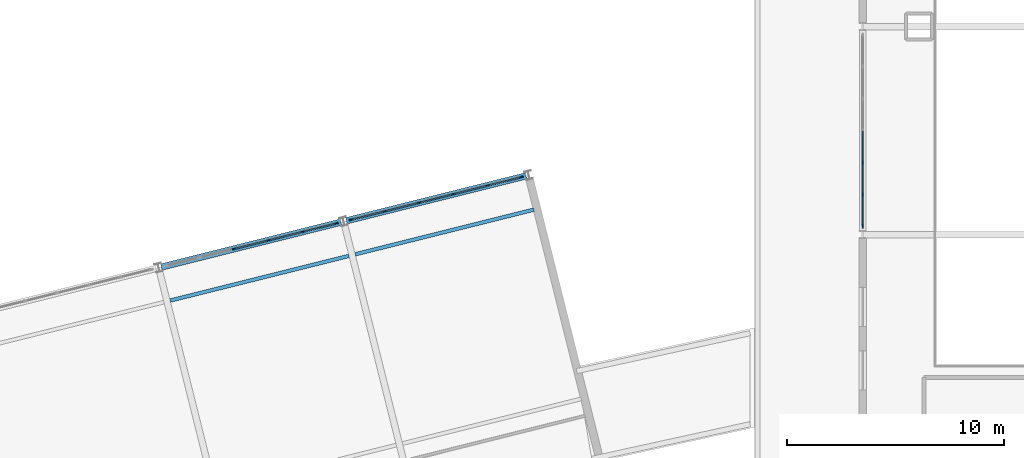
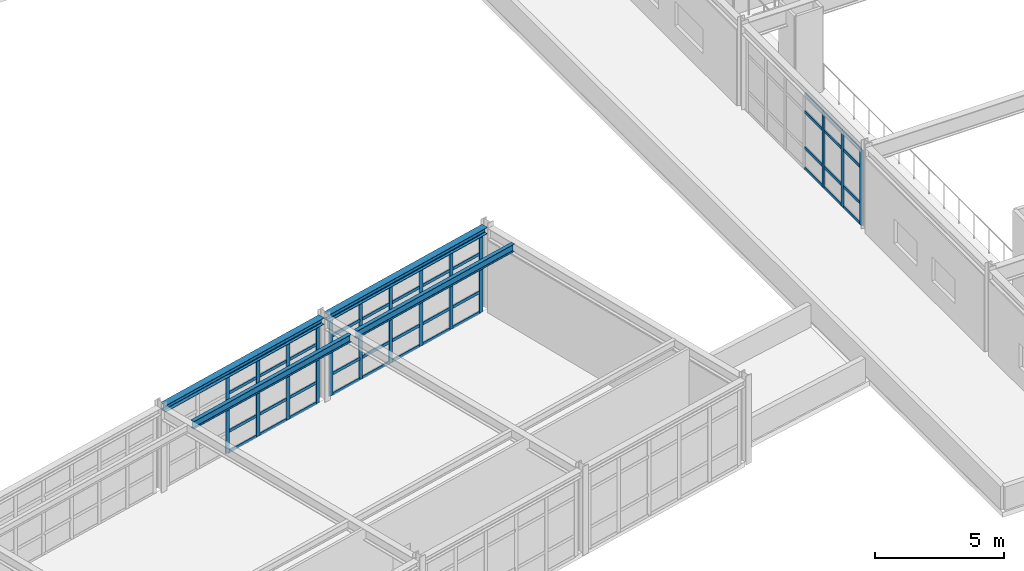
# One storey, part 37 of 76: 57 members, 4 beams, 3 elements without a shape of their own.
"""IFC4 building model written with IfcOpenShell, lengths in metres."""

from ifc_helpers import new_model, si_unit, direction, frame, origin, origin_2d, place, context, subcontext, project, spatial, rectangle, i_section, extrude, material, layer, layer_set, material_profile, profile_set, type_object, element, aggregate, save


model = new_model("IFC4")

# Units and contexts
model_context = context("Model", 3, precision=1e-05, world=origin(), true_north=direction((0.0, 1.0)))
body_context = subcontext(model_context, "Body", "Model", "MODEL_VIEW")
ifc_project = project(units=[si_unit("LENGTHUNIT", "METRE"), si_unit("AREAUNIT", "SQUARE_METRE"), si_unit("VOLUMEUNIT", "CUBIC_METRE"), si_unit("PLANEANGLEUNIT", "RADIAN"), si_unit("MASSUNIT", "GRAM", prefix="KILO")], contexts=[model_context])

# Site, building, storey
site_placement = place(None, origin())
site = spatial("IfcSite", under=ifc_project, at=site_placement, CompositionType="ELEMENT")
building_placement = place(site_placement, origin())
building = spatial("IfcBuilding", under=site, at=building_placement, Name="Nordkorset Police Headquarters", CompositionType="ELEMENT")
storey_placement = place(building_placement, frame((0.0, 0.0, 13.64990234375)))
storey = spatial("IfcBuildingStorey", under=building, at=storey_placement, Name="L03", CompositionType="ELEMENT", Elevation=13.64990234375)

# Beams
ifc_material_1 = material(Name="Steel S355J2", Category="steel")
ifc_material_profile_1 = material_profile(ifc_material_1, i_section(OverallWidth=0.169921875, OverallDepth=0.360107421875, WebThickness=0.008056640625, FlangeThickness=0.0126953125, FilletRadius=0.01806640625, at=origin_2d()), Name="IPE 360")
ifc_profile_set_1 = profile_set([ifc_material_profile_1], Name="Steel S355J2")
beam_type_1 = type_object("IfcBeamType", Name="Beam_IPE_360", PredefinedType="BEAM", material=ifc_profile_set_1)
for number, where, z_axis, x_axis, name in (
    (1, (59.44677734375, 64.155517578125, 3.80517578125), (0.970135741501, 0.242562658011, 0.0), (-0.242562658011, 0.970135741501, 0.0), "Splayed Wing Secondary Beam L03 4-2"),
    (2, (67.984130859375, 66.2900390625, 3.80517578125), (0.970142500145, 0.242535625036, 0.0), (-0.242535625036, 0.970142500145, 0.0), "Splayed Wing Secondary Beam L03 5-2"),
):
    element("IfcBeam", number, at=place(storey_placement, frame(where, z_axis=z_axis, x_axis=x_axis)), inside=storey, type_object=beam_type_1, Name=name, PredefinedType="BEAM", context=body_context, shape_type="SweptSolid", body=[
        extrude(i_section(OverallWidth=0.169921875, OverallDepth=0.360107421875, WebThickness=0.008056640625, FlangeThickness=0.0126953125, FilletRadius=0.01806640625, at=origin_2d()), origin(), (0.0, 0.0, 1.0), 8.5),
    ])

# Curtain wall, members
ifc_material_2 = material(Name="Aluminium alloy AW-6060", Category="aluminium")
ifc_layer_1 = layer(ifc_material_2, 0.179931640625, Name="Aluminium alloy AW-6060")
ifc_layer_set_1 = layer_set([ifc_layer_1], Name="Aluminium alloy AW-6060")
curtain_wall_type_1 = type_object("IfcCurtainWallType", Name="CW_Unit_816x366", PredefinedType="USERDEFINED", material=ifc_layer_set_1)
curtain_wall_1_placement = place(storey_placement, origin())
curtain_wall_1 = element("IfcCurtainWall", 3, at=curtain_wall_1_placement, inside=storey, type_object=curtain_wall_type_1, Name="Unitised Curtain Wall L03 V4N-4", ObjectType="UNITISED CURTAIN WALL", PredefinedType="USERDEFINED")
ifc_material_3 = material(Name="Aluminium alloy AW-6060", Category="aluminium")
ifc_material_profile_2 = material_profile(ifc_material_3, rectangle(XDim=0.06494140625, YDim=0.179931640625, at=origin_2d()), Name="ALU MULL 65x180")
ifc_profile_set_2 = profile_set([ifc_material_profile_2], Name="Aluminium alloy AW-6060")
member_type_1 = type_object("IfcMemberType", Name="CW_Mullion_65x180", PredefinedType="MULLION", material=ifc_profile_set_2)
member_1_placement = place(storey_placement, frame((62.39013671875, 66.540771484375, 0.0), z_axis=(0.0, 0.0, 1.0), x_axis=(-0.242535336683, 0.970142572234, 0.0)))
member_1 = element("IfcMember", 4, at=member_1_placement, type_object=member_type_1, Name="CW-87 mullion 3", PredefinedType="MULLION", context=body_context, shape_type="SweptSolid", body=[
    extrude(rectangle(XDim=0.06494140625, YDim=0.179931640625, at=origin_2d()), origin(), (0.0, 0.0, 1.0), 3.655029296875),
])
member_2_placement = place(storey_placement, frame((63.973388671875, 66.9365234375, 0.0), z_axis=(0.0, 0.0, 1.0), x_axis=(-0.242535336683, 0.970142572234, 0.0)))
member_2 = element("IfcMember", 5, at=member_2_placement, type_object=member_type_1, Name="CW-87 mullion 4", PredefinedType="MULLION", context=body_context, shape_type="SweptSolid", body=[
    extrude(rectangle(XDim=0.06494140625, YDim=0.179931640625, at=origin_2d()), origin(), (0.0, 0.0, 1.0), 3.655029296875),
])
member_3_placement = place(storey_placement, frame((65.556640625, 67.332275390625, 0.0), z_axis=(0.0, 0.0, 1.0), x_axis=(-0.242535336683, 0.970142572234, 0.0)))
member_3 = element("IfcMember", 6, at=member_3_placement, type_object=member_type_1, Name="CW-87 mullion 5", PredefinedType="MULLION", context=body_context, shape_type="SweptSolid", body=[
    extrude(rectangle(XDim=0.06494140625, YDim=0.179931640625, at=origin_2d()), origin(), (0.0, 0.0, 1.0), 3.655029296875),
])
member_4_placement = place(storey_placement, frame((67.1083984375, 67.72021484375, 0.0), z_axis=(0.0, 0.0, 1.0), x_axis=(-0.242535336683, 0.970142572234, 0.0)))
member_4 = element("IfcMember", 7, at=member_4_placement, type_object=member_type_1, Name="CW-87 mullion 6", PredefinedType="MULLION", context=body_context, shape_type="SweptSolid", body=[
    extrude(rectangle(XDim=0.06494140625, YDim=0.179931640625, at=origin_2d()), origin(), (0.0, 0.0, 1.0), 3.655029296875),
])

curtain_wall_2_placement = place(storey_placement, origin())
curtain_wall_2 = element("IfcCurtainWall", 8, at=curtain_wall_2_placement, inside=storey, type_object=curtain_wall_type_1, Name="Unitised Curtain Wall L03 V4N-5", ObjectType="UNITISED CURTAIN WALL", PredefinedType="USERDEFINED")
member_5_placement = place(storey_placement, frame((67.79248046875, 67.891357421875, 0.0), z_axis=(0.0, 0.0, 1.0), x_axis=(-0.242535625038, 0.970142500145, 0.0)))
member_5 = element("IfcMember", 9, at=member_5_placement, type_object=member_type_1, Name="CW-87 mullion 1", PredefinedType="MULLION", context=body_context, shape_type="SweptSolid", body=[
    extrude(rectangle(XDim=0.06494140625, YDim=0.179931640625, at=origin_2d()), origin(), (0.0, 0.0, 1.0), 3.655029296875),
])
member_6_placement = place(storey_placement, frame((69.34423828125, 68.279296875, 0.0), z_axis=(0.0, 0.0, 1.0), x_axis=(-0.242535625038, 0.970142500145, 0.0)))
member_6 = element("IfcMember", 10, at=member_6_placement, type_object=member_type_1, Name="CW-87 mullion 2", PredefinedType="MULLION", context=body_context, shape_type="SweptSolid", body=[
    extrude(rectangle(XDim=0.06494140625, YDim=0.179931640625, at=origin_2d()), origin(), (0.0, 0.0, 1.0), 3.655029296875),
])
member_7_placement = place(storey_placement, frame((70.927490234375, 68.675048828125, 0.0), z_axis=(0.0, 0.0, 1.0), x_axis=(-0.242535625038, 0.970142500145, 0.0)))
member_7 = element("IfcMember", 11, at=member_7_placement, type_object=member_type_1, Name="CW-87 mullion 3", PredefinedType="MULLION", context=body_context, shape_type="SweptSolid", body=[
    extrude(rectangle(XDim=0.06494140625, YDim=0.179931640625, at=origin_2d()), origin(), (0.0, 0.0, 1.0), 3.655029296875),
])
member_8_placement = place(storey_placement, frame((72.5107421875, 69.07080078125, 0.0), z_axis=(0.0, 0.0, 1.0), x_axis=(-0.242535625038, 0.970142500145, 0.0)))
member_8 = element("IfcMember", 12, at=member_8_placement, type_object=member_type_1, Name="CW-87 mullion 4", PredefinedType="MULLION", context=body_context, shape_type="SweptSolid", body=[
    extrude(rectangle(XDim=0.06494140625, YDim=0.179931640625, at=origin_2d()), origin(), (0.0, 0.0, 1.0), 3.655029296875),
])
member_9_placement = place(storey_placement, frame((74.093994140625, 69.466552734375, 0.0), z_axis=(0.0, 0.0, 1.0), x_axis=(-0.242535625038, 0.970142500145, 0.0)))
member_9 = element("IfcMember", 13, at=member_9_placement, type_object=member_type_1, Name="CW-87 mullion 5", PredefinedType="MULLION", context=body_context, shape_type="SweptSolid", body=[
    extrude(rectangle(XDim=0.06494140625, YDim=0.179931640625, at=origin_2d()), origin(), (0.0, 0.0, 1.0), 3.655029296875),
])
member_10_placement = place(storey_placement, frame((75.645751953125, 69.8544921875, 0.0), z_axis=(0.0, 0.0, 1.0), x_axis=(-0.242535625038, 0.970142500145, 0.0)))
member_10 = element("IfcMember", 14, at=member_10_placement, type_object=member_type_1, Name="CW-87 mullion 6", PredefinedType="MULLION", context=body_context, shape_type="SweptSolid", body=[
    extrude(rectangle(XDim=0.06494140625, YDim=0.179931640625, at=origin_2d()), origin(), (0.0, 0.0, 1.0), 3.655029296875),
])

ifc_material_4 = material(Name="Aluminium alloy AW-6060", Category="aluminium")
ifc_layer_2 = layer(ifc_material_4, 0.179931640625, Name="Aluminium alloy AW-6060")
ifc_layer_set_2 = layer_set([ifc_layer_2], Name="Aluminium alloy AW-6060")
curtain_wall_type_2 = type_object("IfcCurtainWallType", Name="CW_Unit_888x356", PredefinedType="USERDEFINED", material=ifc_layer_set_2)
curtain_wall_3_placement = place(storey_placement, origin())
curtain_wall_3 = element("IfcCurtainWall", 15, at=curtain_wall_3_placement, inside=storey, type_object=curtain_wall_type_2, Name="Unitised Curtain Wall L03 V5W-2", ObjectType="UNITISED CURTAIN WALL", PredefinedType="USERDEFINED")
member_11_placement = place(storey_placement, frame((91.39990234375, 67.592529296875, 0.0), z_axis=(0.0, 0.0, 1.0), x_axis=(-1.0, 0.0, 0.0)))
member_11 = element("IfcMember", 16, at=member_11_placement, type_object=member_type_1, Name="CW-109 mullion 1", PredefinedType="MULLION", context=body_context, shape_type="SweptSolid", body=[
    extrude(rectangle(XDim=0.06494140625, YDim=0.179931640625, at=origin_2d()), origin(), (0.0, 0.0, 1.0), 3.565185546875),
])
member_12_placement = place(storey_placement, frame((91.39990234375, 69.0400390625, 0.0), z_axis=(0.0, 0.0, 1.0), x_axis=(-1.0, 0.0, 0.0)))
member_12 = element("IfcMember", 17, at=member_12_placement, type_object=member_type_1, Name="CW-109 mullion 2", PredefinedType="MULLION", context=body_context, shape_type="SweptSolid", body=[
    extrude(rectangle(XDim=0.06494140625, YDim=0.179931640625, at=origin_2d()), origin(), (0.0, 0.0, 1.0), 3.565185546875),
])
member_13_placement = place(storey_placement, frame((91.39990234375, 70.52001953125, 0.0), z_axis=(0.0, 0.0, 1.0), x_axis=(-1.0, 0.0, 0.0)))
member_13 = element("IfcMember", 18, at=member_13_placement, type_object=member_type_1, Name="CW-109 mullion 3", PredefinedType="MULLION", context=body_context, shape_type="SweptSolid", body=[
    extrude(rectangle(XDim=0.06494140625, YDim=0.179931640625, at=origin_2d()), origin(), (0.0, 0.0, 1.0), 3.565185546875),
])

# Member
ifc_material_5 = material(Name="Aluminium alloy AW-6060", Category="aluminium")
ifc_material_profile_3 = material_profile(ifc_material_5, rectangle(XDim=0.06494140625, YDim=0.139892578125, at=origin_2d()), Name="ALU TRAN 65x140")
ifc_profile_set_3 = profile_set([ifc_material_profile_3], Name="Aluminium alloy AW-6060")
member_type_2 = type_object("IfcMemberType", Name="CW_Transom_65x140", PredefinedType="USERDEFINED", material=ifc_profile_set_3)
member_14_placement = place(storey_placement, frame((62.421630859375, 66.548583984375, 0.03271484375), z_axis=(0.970133335061, 0.24257228243, 0.0), x_axis=(-0.24257228243, 0.970133335061, 0.0)))
member_14 = element("IfcMember", 19, at=member_14_placement, type_object=member_type_2, Name="CW-87 transom 3.1", ObjectType="TRANSOM", PredefinedType="USERDEFINED", context=body_context, shape_type="SweptSolid", body=[
    extrude(rectangle(XDim=0.06494140625, YDim=0.139892578125, at=origin_2d()), origin(), (0.0, 0.0, 1.0), 1.567138671875),
])

member_15_placement = place(storey_placement, frame((62.421630859375, 66.548583984375, 1.0), z_axis=(0.970133335061, 0.24257228243, 0.0), x_axis=(-0.24257228243, 0.970133335061, 0.0)))
member_15 = element("IfcMember", 20, at=member_15_placement, type_object=member_type_2, Name="CW-87 transom 3.2", ObjectType="TRANSOM", PredefinedType="USERDEFINED", context=body_context, shape_type="SweptSolid", body=[
    extrude(rectangle(XDim=0.06494140625, YDim=0.139892578125, at=origin_2d()), origin(), (0.0, 0.0, 1.0), 1.567138671875),
])

member_16_placement = place(storey_placement, frame((62.421630859375, 66.548583984375, 2.80517578125), z_axis=(0.970133335061, 0.24257228243, 0.0), x_axis=(-0.24257228243, 0.970133335061, 0.0)))
member_16 = element("IfcMember", 21, at=member_16_placement, type_object=member_type_2, Name="CW-87 transom 3.3", ObjectType="TRANSOM", PredefinedType="USERDEFINED", context=body_context, shape_type="SweptSolid", body=[
    extrude(rectangle(XDim=0.06494140625, YDim=0.139892578125, at=origin_2d()), origin(), (0.0, 0.0, 1.0), 1.567138671875),
])

member_17_placement = place(storey_placement, frame((62.421630859375, 66.548583984375, 3.62255859375), z_axis=(0.970133335061, 0.24257228243, 0.0), x_axis=(-0.24257228243, 0.970133335061, 0.0)))
member_17 = element("IfcMember", 22, at=member_17_placement, type_object=member_type_2, Name="CW-87 transom 3.4", ObjectType="TRANSOM", PredefinedType="USERDEFINED", context=body_context, shape_type="SweptSolid", body=[
    extrude(rectangle(XDim=0.06494140625, YDim=0.139892578125, at=origin_2d()), origin(), (0.0, 0.0, 1.0), 1.567138671875),
])

member_18_placement = place(storey_placement, frame((64.0048828125, 66.9443359375, 0.03271484375), z_axis=(0.970133335061, 0.24257228243, 0.0), x_axis=(-0.24257228243, 0.970133335061, 0.0)))
member_18 = element("IfcMember", 23, at=member_18_placement, type_object=member_type_2, Name="CW-87 transom 4.1", ObjectType="TRANSOM", PredefinedType="USERDEFINED", context=body_context, shape_type="SweptSolid", body=[
    extrude(rectangle(XDim=0.06494140625, YDim=0.139892578125, at=origin_2d()), origin(), (0.0, 0.0, 1.0), 1.567138671875),
])

member_19_placement = place(storey_placement, frame((64.0048828125, 66.9443359375, 1.0), z_axis=(0.970133335061, 0.24257228243, 0.0), x_axis=(-0.24257228243, 0.970133335061, 0.0)))
member_19 = element("IfcMember", 24, at=member_19_placement, type_object=member_type_2, Name="CW-87 transom 4.2", ObjectType="TRANSOM", PredefinedType="USERDEFINED", context=body_context, shape_type="SweptSolid", body=[
    extrude(rectangle(XDim=0.06494140625, YDim=0.139892578125, at=origin_2d()), origin(), (0.0, 0.0, 1.0), 1.567138671875),
])

member_20_placement = place(storey_placement, frame((64.0048828125, 66.9443359375, 2.80517578125), z_axis=(0.970133335061, 0.24257228243, 0.0), x_axis=(-0.24257228243, 0.970133335061, 0.0)))
member_20 = element("IfcMember", 25, at=member_20_placement, type_object=member_type_2, Name="CW-87 transom 4.3", ObjectType="TRANSOM", PredefinedType="USERDEFINED", context=body_context, shape_type="SweptSolid", body=[
    extrude(rectangle(XDim=0.06494140625, YDim=0.139892578125, at=origin_2d()), origin(), (0.0, 0.0, 1.0), 1.567138671875),
])

member_21_placement = place(storey_placement, frame((64.0048828125, 66.9443359375, 3.62255859375), z_axis=(0.970133335061, 0.24257228243, 0.0), x_axis=(-0.24257228243, 0.970133335061, 0.0)))
member_21 = element("IfcMember", 26, at=member_21_placement, type_object=member_type_2, Name="CW-87 transom 4.4", ObjectType="TRANSOM", PredefinedType="USERDEFINED", context=body_context, shape_type="SweptSolid", body=[
    extrude(rectangle(XDim=0.06494140625, YDim=0.139892578125, at=origin_2d()), origin(), (0.0, 0.0, 1.0), 1.567138671875),
])

member_22_placement = place(storey_placement, frame((65.588134765625, 67.34033203125, 0.03271484375), z_axis=(0.970161214313, 0.242460756086, 0.0), x_axis=(-0.242460756086, 0.970161214313, 0.0)))
member_22 = element("IfcMember", 27, at=member_22_placement, type_object=member_type_2, Name="CW-87 transom 5.1", ObjectType="TRANSOM", PredefinedType="USERDEFINED", context=body_context, shape_type="SweptSolid", body=[
    extrude(rectangle(XDim=0.06494140625, YDim=0.139892578125, at=origin_2d()), origin(), (0.0, 0.0, 1.0), 1.53466796875),
])

member_23_placement = place(storey_placement, frame((65.588134765625, 67.34033203125, 1.0), z_axis=(0.970161214313, 0.242460756086, 0.0), x_axis=(-0.242460756086, 0.970161214313, 0.0)))
member_23 = element("IfcMember", 28, at=member_23_placement, type_object=member_type_2, Name="CW-87 transom 5.2", ObjectType="TRANSOM", PredefinedType="USERDEFINED", context=body_context, shape_type="SweptSolid", body=[
    extrude(rectangle(XDim=0.06494140625, YDim=0.139892578125, at=origin_2d()), origin(), (0.0, 0.0, 1.0), 1.53466796875),
])

member_24_placement = place(storey_placement, frame((65.588134765625, 67.34033203125, 2.80517578125), z_axis=(0.970161214313, 0.242460756086, 0.0), x_axis=(-0.242460756086, 0.970161214313, 0.0)))
member_24 = element("IfcMember", 29, at=member_24_placement, type_object=member_type_2, Name="CW-87 transom 5.3", ObjectType="TRANSOM", PredefinedType="USERDEFINED", context=body_context, shape_type="SweptSolid", body=[
    extrude(rectangle(XDim=0.06494140625, YDim=0.139892578125, at=origin_2d()), origin(), (0.0, 0.0, 1.0), 1.53466796875),
])

member_25_placement = place(storey_placement, frame((65.588134765625, 67.34033203125, 3.62255859375), z_axis=(0.970161214313, 0.242460756086, 0.0), x_axis=(-0.242460756086, 0.970161214313, 0.0)))
member_25 = element("IfcMember", 30, at=member_25_placement, type_object=member_type_2, Name="CW-87 transom 5.4", ObjectType="TRANSOM", PredefinedType="USERDEFINED", context=body_context, shape_type="SweptSolid", body=[
    extrude(rectangle(XDim=0.06494140625, YDim=0.139892578125, at=origin_2d()), origin(), (0.0, 0.0, 1.0), 1.53466796875),
])

aggregate(curtain_wall_1, [member_1, member_2, member_3, member_4, member_14, member_15, member_16, member_17, member_18, member_19, member_20, member_21, member_22, member_23, member_24, member_25])

member_26_placement = place(storey_placement, frame((67.823974609375, 67.899169921875, 0.03271484375), z_axis=(0.970161214313, 0.242460756086, 0.0), x_axis=(-0.242460756086, 0.970161214313, 0.0)))
member_26 = element("IfcMember", 31, at=member_26_placement, type_object=member_type_2, Name="CW-87 transom 1.1", ObjectType="TRANSOM", PredefinedType="USERDEFINED", context=body_context, shape_type="SweptSolid", body=[
    extrude(rectangle(XDim=0.06494140625, YDim=0.139892578125, at=origin_2d()), origin(), (0.0, 0.0, 1.0), 1.53466796875),
])

member_27_placement = place(storey_placement, frame((67.823974609375, 67.899169921875, 1.0), z_axis=(0.970161214313, 0.242460756086, 0.0), x_axis=(-0.242460756086, 0.970161214313, 0.0)))
member_27 = element("IfcMember", 32, at=member_27_placement, type_object=member_type_2, Name="CW-87 transom 1.2", ObjectType="TRANSOM", PredefinedType="USERDEFINED", context=body_context, shape_type="SweptSolid", body=[
    extrude(rectangle(XDim=0.06494140625, YDim=0.139892578125, at=origin_2d()), origin(), (0.0, 0.0, 1.0), 1.53466796875),
])

member_28_placement = place(storey_placement, frame((67.823974609375, 67.899169921875, 2.80517578125), z_axis=(0.970161214313, 0.242460756086, 0.0), x_axis=(-0.242460756086, 0.970161214313, 0.0)))
member_28 = element("IfcMember", 33, at=member_28_placement, type_object=member_type_2, Name="CW-87 transom 1.3", ObjectType="TRANSOM", PredefinedType="USERDEFINED", context=body_context, shape_type="SweptSolid", body=[
    extrude(rectangle(XDim=0.06494140625, YDim=0.139892578125, at=origin_2d()), origin(), (0.0, 0.0, 1.0), 1.53466796875),
])

member_29_placement = place(storey_placement, frame((67.823974609375, 67.899169921875, 3.62255859375), z_axis=(0.970161214313, 0.242460756086, 0.0), x_axis=(-0.242460756086, 0.970161214313, 0.0)))
member_29 = element("IfcMember", 34, at=member_29_placement, type_object=member_type_2, Name="CW-87 transom 1.4", ObjectType="TRANSOM", PredefinedType="USERDEFINED", context=body_context, shape_type="SweptSolid", body=[
    extrude(rectangle(XDim=0.06494140625, YDim=0.139892578125, at=origin_2d()), origin(), (0.0, 0.0, 1.0), 1.53466796875),
])

member_30_placement = place(storey_placement, frame((69.375732421875, 68.287109375, 0.03271484375), z_axis=(0.970133335061, 0.24257228243, 0.0), x_axis=(-0.24257228243, 0.970133335061, 0.0)))
member_30 = element("IfcMember", 35, at=member_30_placement, type_object=member_type_2, Name="CW-87 transom 2.1", ObjectType="TRANSOM", PredefinedType="USERDEFINED", context=body_context, shape_type="SweptSolid", body=[
    extrude(rectangle(XDim=0.06494140625, YDim=0.139892578125, at=origin_2d()), origin(), (0.0, 0.0, 1.0), 1.567138671875),
])

member_31_placement = place(storey_placement, frame((69.375732421875, 68.287109375, 1.0), z_axis=(0.970133335061, 0.24257228243, 0.0), x_axis=(-0.24257228243, 0.970133335061, 0.0)))
member_31 = element("IfcMember", 36, at=member_31_placement, type_object=member_type_2, Name="CW-87 transom 2.2", ObjectType="TRANSOM", PredefinedType="USERDEFINED", context=body_context, shape_type="SweptSolid", body=[
    extrude(rectangle(XDim=0.06494140625, YDim=0.139892578125, at=origin_2d()), origin(), (0.0, 0.0, 1.0), 1.567138671875),
])

member_32_placement = place(storey_placement, frame((69.375732421875, 68.287109375, 2.80517578125), z_axis=(0.970133335061, 0.24257228243, 0.0), x_axis=(-0.24257228243, 0.970133335061, 0.0)))
member_32 = element("IfcMember", 37, at=member_32_placement, type_object=member_type_2, Name="CW-87 transom 2.3", ObjectType="TRANSOM", PredefinedType="USERDEFINED", context=body_context, shape_type="SweptSolid", body=[
    extrude(rectangle(XDim=0.06494140625, YDim=0.139892578125, at=origin_2d()), origin(), (0.0, 0.0, 1.0), 1.567138671875),
])

member_33_placement = place(storey_placement, frame((69.375732421875, 68.287109375, 3.62255859375), z_axis=(0.970133335061, 0.24257228243, 0.0), x_axis=(-0.24257228243, 0.970133335061, 0.0)))
member_33 = element("IfcMember", 38, at=member_33_placement, type_object=member_type_2, Name="CW-87 transom 2.4", ObjectType="TRANSOM", PredefinedType="USERDEFINED", context=body_context, shape_type="SweptSolid", body=[
    extrude(rectangle(XDim=0.06494140625, YDim=0.139892578125, at=origin_2d()), origin(), (0.0, 0.0, 1.0), 1.567138671875),
])

member_34_placement = place(storey_placement, frame((70.958984375, 68.682861328125, 0.03271484375), z_axis=(0.970133335061, 0.24257228243, 0.0), x_axis=(-0.24257228243, 0.970133335061, 0.0)))
member_34 = element("IfcMember", 39, at=member_34_placement, type_object=member_type_2, Name="CW-87 transom 3.1", ObjectType="TRANSOM", PredefinedType="USERDEFINED", context=body_context, shape_type="SweptSolid", body=[
    extrude(rectangle(XDim=0.06494140625, YDim=0.139892578125, at=origin_2d()), origin(), (0.0, 0.0, 1.0), 1.567138671875),
])

member_35_placement = place(storey_placement, frame((70.958984375, 68.682861328125, 1.0), z_axis=(0.970133335061, 0.24257228243, 0.0), x_axis=(-0.24257228243, 0.970133335061, 0.0)))
member_35 = element("IfcMember", 40, at=member_35_placement, type_object=member_type_2, Name="CW-87 transom 3.2", ObjectType="TRANSOM", PredefinedType="USERDEFINED", context=body_context, shape_type="SweptSolid", body=[
    extrude(rectangle(XDim=0.06494140625, YDim=0.139892578125, at=origin_2d()), origin(), (0.0, 0.0, 1.0), 1.567138671875),
])

member_36_placement = place(storey_placement, frame((70.958984375, 68.682861328125, 2.80517578125), z_axis=(0.970133335061, 0.24257228243, 0.0), x_axis=(-0.24257228243, 0.970133335061, 0.0)))
member_36 = element("IfcMember", 41, at=member_36_placement, type_object=member_type_2, Name="CW-87 transom 3.3", ObjectType="TRANSOM", PredefinedType="USERDEFINED", context=body_context, shape_type="SweptSolid", body=[
    extrude(rectangle(XDim=0.06494140625, YDim=0.139892578125, at=origin_2d()), origin(), (0.0, 0.0, 1.0), 1.567138671875),
])

member_37_placement = place(storey_placement, frame((70.958984375, 68.682861328125, 3.62255859375), z_axis=(0.970133335061, 0.24257228243, 0.0), x_axis=(-0.24257228243, 0.970133335061, 0.0)))
member_37 = element("IfcMember", 42, at=member_37_placement, type_object=member_type_2, Name="CW-87 transom 3.4", ObjectType="TRANSOM", PredefinedType="USERDEFINED", context=body_context, shape_type="SweptSolid", body=[
    extrude(rectangle(XDim=0.06494140625, YDim=0.139892578125, at=origin_2d()), origin(), (0.0, 0.0, 1.0), 1.567138671875),
])

member_38_placement = place(storey_placement, frame((72.542236328125, 69.078857421875, 0.03271484375), z_axis=(0.970169988125, 0.242425646623, 0.0), x_axis=(-0.242425646623, 0.970169988125, 0.0)))
member_38 = element("IfcMember", 43, at=member_38_placement, type_object=member_type_2, Name="CW-87 transom 4.1", ObjectType="TRANSOM", PredefinedType="USERDEFINED", context=body_context, shape_type="SweptSolid", body=[
    extrude(rectangle(XDim=0.06494140625, YDim=0.139892578125, at=origin_2d()), origin(), (0.0, 0.0, 1.0), 1.56689453125),
])

member_39_placement = place(storey_placement, frame((72.542236328125, 69.078857421875, 1.0), z_axis=(0.970169988125, 0.242425646623, 0.0), x_axis=(-0.242425646623, 0.970169988125, 0.0)))
member_39 = element("IfcMember", 44, at=member_39_placement, type_object=member_type_2, Name="CW-87 transom 4.2", ObjectType="TRANSOM", PredefinedType="USERDEFINED", context=body_context, shape_type="SweptSolid", body=[
    extrude(rectangle(XDim=0.06494140625, YDim=0.139892578125, at=origin_2d()), origin(), (0.0, 0.0, 1.0), 1.56689453125),
])

member_40_placement = place(storey_placement, frame((72.542236328125, 69.078857421875, 2.80517578125), z_axis=(0.970169988125, 0.242425646623, 0.0), x_axis=(-0.242425646623, 0.970169988125, 0.0)))
member_40 = element("IfcMember", 45, at=member_40_placement, type_object=member_type_2, Name="CW-87 transom 4.3", ObjectType="TRANSOM", PredefinedType="USERDEFINED", context=body_context, shape_type="SweptSolid", body=[
    extrude(rectangle(XDim=0.06494140625, YDim=0.139892578125, at=origin_2d()), origin(), (0.0, 0.0, 1.0), 1.56689453125),
])

member_41_placement = place(storey_placement, frame((72.542236328125, 69.078857421875, 3.62255859375), z_axis=(0.970169988125, 0.242425646623, 0.0), x_axis=(-0.242425646623, 0.970169988125, 0.0)))
member_41 = element("IfcMember", 46, at=member_41_placement, type_object=member_type_2, Name="CW-87 transom 4.4", ObjectType="TRANSOM", PredefinedType="USERDEFINED", context=body_context, shape_type="SweptSolid", body=[
    extrude(rectangle(XDim=0.06494140625, YDim=0.139892578125, at=origin_2d()), origin(), (0.0, 0.0, 1.0), 1.56689453125),
])

member_42_placement = place(storey_placement, frame((74.12548828125, 69.474609375, 0.03271484375), z_axis=(0.970161214313, 0.242460756086, 0.0), x_axis=(-0.242460756086, 0.970161214313, 0.0)))
member_42 = element("IfcMember", 47, at=member_42_placement, type_object=member_type_2, Name="CW-87 transom 5.1", ObjectType="TRANSOM", PredefinedType="USERDEFINED", context=body_context, shape_type="SweptSolid", body=[
    extrude(rectangle(XDim=0.06494140625, YDim=0.139892578125, at=origin_2d()), origin(), (0.0, 0.0, 1.0), 1.53466796875),
])

member_43_placement = place(storey_placement, frame((74.12548828125, 69.474609375, 1.0), z_axis=(0.970161214313, 0.242460756086, 0.0), x_axis=(-0.242460756086, 0.970161214313, 0.0)))
member_43 = element("IfcMember", 48, at=member_43_placement, type_object=member_type_2, Name="CW-87 transom 5.2", ObjectType="TRANSOM", PredefinedType="USERDEFINED", context=body_context, shape_type="SweptSolid", body=[
    extrude(rectangle(XDim=0.06494140625, YDim=0.139892578125, at=origin_2d()), origin(), (0.0, 0.0, 1.0), 1.53466796875),
])

member_44_placement = place(storey_placement, frame((74.12548828125, 69.474609375, 2.80517578125), z_axis=(0.970161214313, 0.242460756086, 0.0), x_axis=(-0.242460756086, 0.970161214313, 0.0)))
member_44 = element("IfcMember", 49, at=member_44_placement, type_object=member_type_2, Name="CW-87 transom 5.3", ObjectType="TRANSOM", PredefinedType="USERDEFINED", context=body_context, shape_type="SweptSolid", body=[
    extrude(rectangle(XDim=0.06494140625, YDim=0.139892578125, at=origin_2d()), origin(), (0.0, 0.0, 1.0), 1.53466796875),
])

member_45_placement = place(storey_placement, frame((74.12548828125, 69.474609375, 3.62255859375), z_axis=(0.970161214313, 0.242460756086, 0.0), x_axis=(-0.242460756086, 0.970161214313, 0.0)))
member_45 = element("IfcMember", 50, at=member_45_placement, type_object=member_type_2, Name="CW-87 transom 5.4", ObjectType="TRANSOM", PredefinedType="USERDEFINED", context=body_context, shape_type="SweptSolid", body=[
    extrude(rectangle(XDim=0.06494140625, YDim=0.139892578125, at=origin_2d()), origin(), (0.0, 0.0, 1.0), 1.53466796875),
])

aggregate(curtain_wall_2, [member_5, member_6, member_7, member_8, member_9, member_10, member_26, member_27, member_28, member_29, member_30, member_31, member_32, member_33, member_34, member_35, member_36, member_37, member_38, member_39, member_40, member_41, member_42, member_43, member_44, member_45])

member_46_placement = place(storey_placement, frame((91.39990234375, 67.625, 0.03271484375), z_axis=(0.0, 1.0, 0.0), x_axis=(-1.0, 0.0, 0.0)))
member_46 = element("IfcMember", 51, at=member_46_placement, type_object=member_type_2, Name="CW-109 transom 1.1", ObjectType="TRANSOM", PredefinedType="USERDEFINED", context=body_context, shape_type="SweptSolid", body=[
    extrude(rectangle(XDim=0.06494140625, YDim=0.139892578125, at=origin_2d()), origin(), (0.0, 0.0, 1.0), 1.382568359375),
])

member_47_placement = place(storey_placement, frame((91.39990234375, 67.625, 1.0), z_axis=(0.0, 1.0, 0.0), x_axis=(-1.0, 0.0, 0.0)))
member_47 = element("IfcMember", 52, at=member_47_placement, type_object=member_type_2, Name="CW-109 transom 1.2", ObjectType="TRANSOM", PredefinedType="USERDEFINED", context=body_context, shape_type="SweptSolid", body=[
    extrude(rectangle(XDim=0.06494140625, YDim=0.139892578125, at=origin_2d()), origin(), (0.0, 0.0, 1.0), 1.382568359375),
])

member_48_placement = place(storey_placement, frame((91.39990234375, 67.625, 2.715087890625), z_axis=(0.0, 1.0, 0.0), x_axis=(-1.0, 0.0, 0.0)))
member_48 = element("IfcMember", 53, at=member_48_placement, type_object=member_type_2, Name="CW-109 transom 1.3", ObjectType="TRANSOM", PredefinedType="USERDEFINED", context=body_context, shape_type="SweptSolid", body=[
    extrude(rectangle(XDim=0.06494140625, YDim=0.139892578125, at=origin_2d()), origin(), (0.0, 0.0, 1.0), 1.382568359375),
])

member_49_placement = place(storey_placement, frame((91.39990234375, 67.625, 3.53271484375), z_axis=(0.0, 1.0, 0.0), x_axis=(-1.0, 0.0, 0.0)))
member_49 = element("IfcMember", 54, at=member_49_placement, type_object=member_type_2, Name="CW-109 transom 1.4", ObjectType="TRANSOM", PredefinedType="USERDEFINED", context=body_context, shape_type="SweptSolid", body=[
    extrude(rectangle(XDim=0.06494140625, YDim=0.139892578125, at=origin_2d()), origin(), (0.0, 0.0, 1.0), 1.382568359375),
])

member_50_placement = place(storey_placement, frame((91.39990234375, 69.072509765625, 0.03271484375), z_axis=(0.0, 1.0, 0.0), x_axis=(-1.0, 0.0, 0.0)))
member_50 = element("IfcMember", 55, at=member_50_placement, type_object=member_type_2, Name="CW-109 transom 2.1", ObjectType="TRANSOM", PredefinedType="USERDEFINED", context=body_context, shape_type="SweptSolid", body=[
    extrude(rectangle(XDim=0.06494140625, YDim=0.139892578125, at=origin_2d()), origin(), (0.0, 0.0, 1.0), 1.4150390625),
])

member_51_placement = place(storey_placement, frame((91.39990234375, 69.072509765625, 1.0), z_axis=(0.0, 1.0, 0.0), x_axis=(-1.0, 0.0, 0.0)))
member_51 = element("IfcMember", 56, at=member_51_placement, type_object=member_type_2, Name="CW-109 transom 2.2", ObjectType="TRANSOM", PredefinedType="USERDEFINED", context=body_context, shape_type="SweptSolid", body=[
    extrude(rectangle(XDim=0.06494140625, YDim=0.139892578125, at=origin_2d()), origin(), (0.0, 0.0, 1.0), 1.4150390625),
])

member_52_placement = place(storey_placement, frame((91.39990234375, 69.072509765625, 2.715087890625), z_axis=(0.0, 1.0, 0.0), x_axis=(-1.0, 0.0, 0.0)))
member_52 = element("IfcMember", 57, at=member_52_placement, type_object=member_type_2, Name="CW-109 transom 2.3", ObjectType="TRANSOM", PredefinedType="USERDEFINED", context=body_context, shape_type="SweptSolid", body=[
    extrude(rectangle(XDim=0.06494140625, YDim=0.139892578125, at=origin_2d()), origin(), (0.0, 0.0, 1.0), 1.4150390625),
])

member_53_placement = place(storey_placement, frame((91.39990234375, 69.072509765625, 3.53271484375), z_axis=(0.0, 1.0, 0.0), x_axis=(-1.0, 0.0, 0.0)))
member_53 = element("IfcMember", 58, at=member_53_placement, type_object=member_type_2, Name="CW-109 transom 2.4", ObjectType="TRANSOM", PredefinedType="USERDEFINED", context=body_context, shape_type="SweptSolid", body=[
    extrude(rectangle(XDim=0.06494140625, YDim=0.139892578125, at=origin_2d()), origin(), (0.0, 0.0, 1.0), 1.4150390625),
])

member_54_placement = place(storey_placement, frame((91.39990234375, 70.552490234375, 0.03271484375), z_axis=(0.0, 1.0, 0.0), x_axis=(-1.0, 0.0, 0.0)))
member_54 = element("IfcMember", 59, at=member_54_placement, type_object=member_type_2, Name="CW-109 transom 3.1", ObjectType="TRANSOM", PredefinedType="USERDEFINED", context=body_context, shape_type="SweptSolid", body=[
    extrude(rectangle(XDim=0.06494140625, YDim=0.139892578125, at=origin_2d()), origin(), (0.0, 0.0, 1.0), 1.4150390625),
])

member_55_placement = place(storey_placement, frame((91.39990234375, 70.552490234375, 1.0), z_axis=(0.0, 1.0, 0.0), x_axis=(-1.0, 0.0, 0.0)))
member_55 = element("IfcMember", 60, at=member_55_placement, type_object=member_type_2, Name="CW-109 transom 3.2", ObjectType="TRANSOM", PredefinedType="USERDEFINED", context=body_context, shape_type="SweptSolid", body=[
    extrude(rectangle(XDim=0.06494140625, YDim=0.139892578125, at=origin_2d()), origin(), (0.0, 0.0, 1.0), 1.4150390625),
])

member_56_placement = place(storey_placement, frame((91.39990234375, 70.552490234375, 2.715087890625), z_axis=(0.0, 1.0, 0.0), x_axis=(-1.0, 0.0, 0.0)))
member_56 = element("IfcMember", 61, at=member_56_placement, type_object=member_type_2, Name="CW-109 transom 3.3", ObjectType="TRANSOM", PredefinedType="USERDEFINED", context=body_context, shape_type="SweptSolid", body=[
    extrude(rectangle(XDim=0.06494140625, YDim=0.139892578125, at=origin_2d()), origin(), (0.0, 0.0, 1.0), 1.4150390625),
])

member_57_placement = place(storey_placement, frame((91.39990234375, 70.552490234375, 3.53271484375), z_axis=(0.0, 1.0, 0.0), x_axis=(-1.0, 0.0, 0.0)))
member_57 = element("IfcMember", 62, at=member_57_placement, type_object=member_type_2, Name="CW-109 transom 3.4", ObjectType="TRANSOM", PredefinedType="USERDEFINED", context=body_context, shape_type="SweptSolid", body=[
    extrude(rectangle(XDim=0.06494140625, YDim=0.139892578125, at=origin_2d()), origin(), (0.0, 0.0, 1.0), 1.4150390625),
])

aggregate(curtain_wall_3, [member_11, member_12, member_13, member_46, member_47, member_48, member_49, member_50, member_51, member_52, member_53, member_54, member_55, member_56, member_57])

# Beams
ifc_material_6 = material(Name="Steel S355J2", Category="steel")
ifc_material_profile_4 = material_profile(ifc_material_6, i_section(OverallWidth=0.300048828125, OverallDepth=0.31005859375, WebThickness=0.009033203125, FlangeThickness=0.015380859375, FilletRadius=0.027099609375, at=origin_2d()), Name="HEA 320")
ifc_profile_set_4 = profile_set([ifc_material_profile_4], Name="Steel S355J2")
beam_type_2 = type_object("IfcBeamType", Name="Spandrel_HEA_320", PredefinedType="SPANDREL", material=ifc_profile_set_4)
for number, where, z_axis, x_axis, name in (
    (63, (59.039306640625, 65.703125, 3.830078125), (0.970147544948, 0.242515444933, 0.0), (-0.242515444933, 0.970147544948, 0.0), "Splayed Wing Spandrel L03 4-1"),
    (64, (67.57666015625, 67.83740234375, 3.830078125), (0.970140818463, 0.242542351668, 0.0), (-0.242542351668, 0.970140818463, 0.0), "Splayed Wing Spandrel L03 5-1"),
):
    element("IfcBeam", number, at=place(storey_placement, frame(where, z_axis=z_axis, x_axis=x_axis)), inside=storey, type_object=beam_type_2, Name=name, PredefinedType="SPANDREL", context=body_context, shape_type="SweptSolid", body=[
        extrude(i_section(OverallWidth=0.300048828125, OverallDepth=0.31005859375, WebThickness=0.009033203125, FlangeThickness=0.015380859375, FilletRadius=0.027099609375, at=origin_2d()), origin(), (0.0, 0.0, 1.0), 8.539794921875),
    ])

save(model, "model.ifc")
